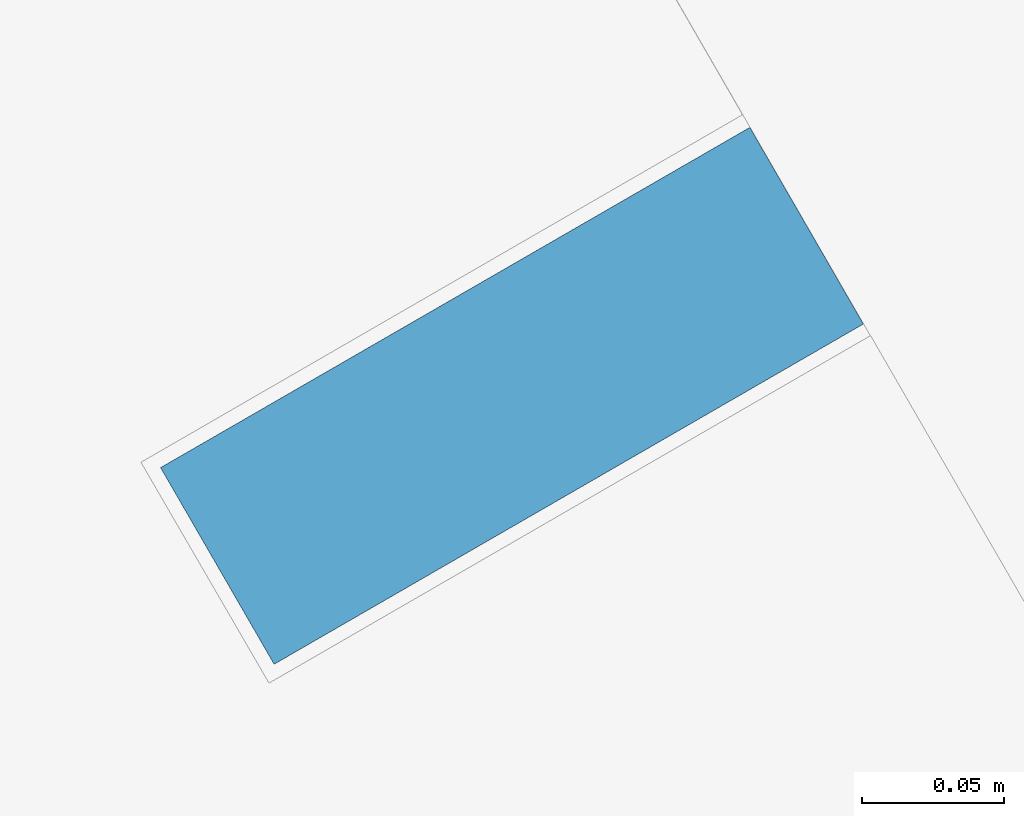
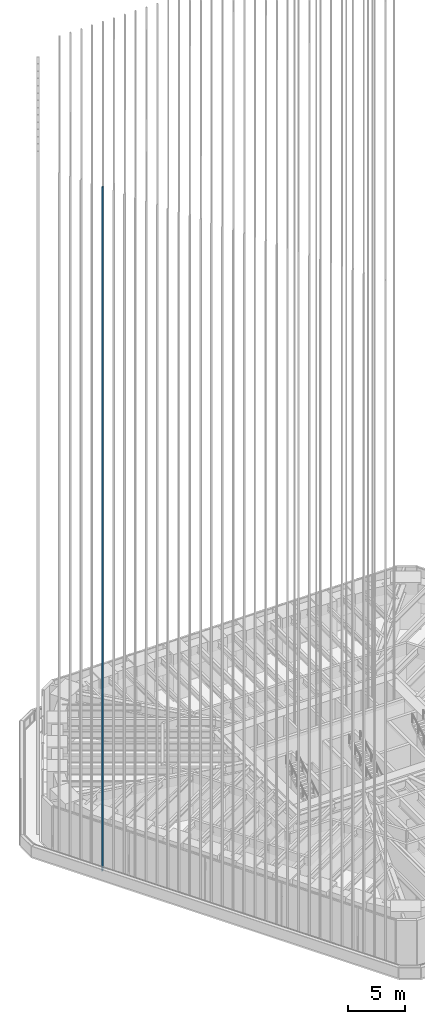
# One storey, part 67 of 228: 1 member, 1 element without a shape of its own.
"""IFC4 building model written with IfcOpenShell, lengths in metres."""

from ifc_helpers import new_model, si_unit, direction, frame, origin, origin_2d, place, context, subcontext, project, spatial, rectangle, extrude, material, material_profile, profile_set, type_object, element, aggregate, save


model = new_model("IFC4")

# Units and contexts
model_context = context("Model", 3, precision=1e-05, world=origin(), true_north=direction((0.0, 1.0)))
body_context = subcontext(model_context, "Body", "Model", "MODEL_VIEW")
ifc_project = project(units=[si_unit("LENGTHUNIT", "METRE"), si_unit("AREAUNIT", "SQUARE_METRE"), si_unit("VOLUMEUNIT", "CUBIC_METRE"), si_unit("PLANEANGLEUNIT", "RADIAN"), si_unit("MASSUNIT", "GRAM", prefix="KILO")], contexts=[model_context])

# Site, building, storey
site_placement = place(None, origin())
site = spatial("IfcSite", under=ifc_project, at=site_placement, CompositionType="ELEMENT")
building_placement = place(site_placement, origin())
building = spatial("IfcBuilding", under=site, at=building_placement, Name="Sandreach Pilgrim Tower", CompositionType="ELEMENT")
storey_placement = place(building_placement, frame((0.0, 0.0, 178.199951171875)))
storey = spatial("IfcBuildingStorey", under=building, at=storey_placement, Name="L44", CompositionType="ELEMENT", Elevation=178.199951171875)

# Curtain wall, member
ifc_material_1 = material(Name="Aluminium framed curtain wall", Category="aluminium")
curtain_wall_type = type_object("IfcCurtainWallType", Name="Upper hotel tower curtain wall", PredefinedType="NOTDEFINED", material=ifc_material_1)
curtain_wall_placement = place(storey_placement, origin())
curtain_wall = element("IfcCurtainWall", 1, at=curtain_wall_placement, inside=storey, type_object=curtain_wall_type, Name="CW-3 L44 SW", PredefinedType="NOTDEFINED")
ifc_material_2 = material(Name="Extruded terracotta on aluminium core", Category="masonry")
ifc_material_profile = material_profile(ifc_material_2, rectangle(XDim=0.080078125, YDim=0.239990234375, at=origin_2d()), Name="TBW 80X240")
ifc_profile_set = profile_set([ifc_material_profile], Name="Extruded terracotta on aluminium core")
member_type = type_object("IfcMemberType", Name="Terracotta baguette west", PredefinedType="USERDEFINED", material=ifc_profile_set)
member_placement = place(storey_placement, frame((-24.75, -0.2919921875, 0.0), z_axis=(0.0, 0.0, 1.0), x_axis=(-0.5, 0.866025403784, 0.0)))
member = element("IfcMember", 2, at=member_placement, type_object=member_type, Name="Baguette Z3 SW27", ObjectType="BAGUETTE", PredefinedType="USERDEFINED", context=body_context, shape_type="SweptSolid", body=[
    extrude(rectangle(XDim=0.080078125, YDim=0.239990234375, at=origin_2d()), origin(), (0.0, 0.0, 1.0), 73.239990234375),
])
aggregate(curtain_wall, [member])

save(model, "model.ifc")
